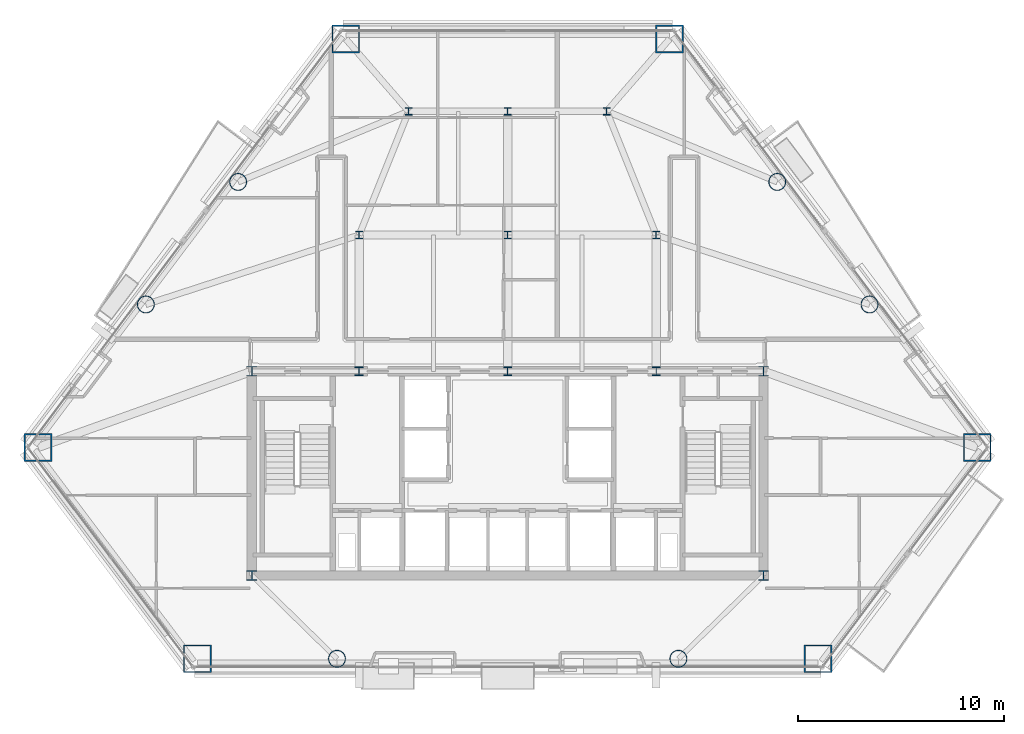
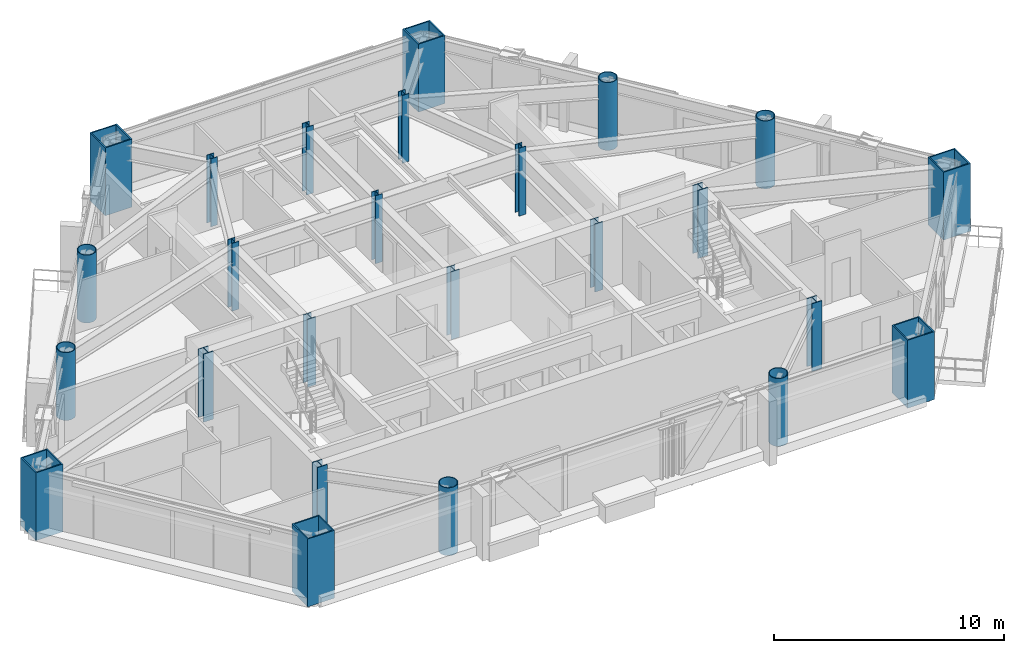
# One storey, part 1 of 11: 25 columns.
"""IFC4 building model written with IfcOpenShell, lengths in metres."""

from ifc_helpers import new_model, si_unit, direction, frame, origin, origin_2d, place, context, subcontext, project, spatial, hollow_rectangle, hollow_circle, i_section, extrude, material, material_profile, profile_set, type_object, element, save


model = new_model("IFC4")

# Units and contexts
model_context = context("Model", 3, precision=1e-05, world=origin(), true_north=direction((0.0, 1.0)))
body_context = subcontext(model_context, "Body", "Model", "MODEL_VIEW")
ifc_project = project(units=[si_unit("LENGTHUNIT", "METRE"), si_unit("AREAUNIT", "SQUARE_METRE"), si_unit("VOLUMEUNIT", "CUBIC_METRE"), si_unit("PLANEANGLEUNIT", "RADIAN"), si_unit("MASSUNIT", "GRAM", prefix="KILO")], contexts=[model_context])

# Site, building, storey
site_placement = place(None, origin())
site = spatial("IfcSite", under=ifc_project, at=site_placement, CompositionType="ELEMENT")
building_placement = place(site_placement, origin())
building = spatial("IfcBuilding", under=site, at=building_placement, Name="Talgorran Terracotta Tower", CompositionType="ELEMENT")
storey_placement = place(building_placement, frame((0.0, 0.0, 42.300048828125)))
storey = spatial("IfcBuildingStorey", under=building, at=storey_placement, Name="L10", CompositionType="ELEMENT", Elevation=42.300048828125)

# Columns
ifc_material_1 = material(Name="Steel S355 (300PLUS)", Category="steel")
ifc_material_profile_1 = material_profile(ifc_material_1, i_section(OverallWidth=0.35009765625, OverallDepth=0.366943359375, WebThickness=0.02490234375, FlangeThickness=0.031982421875, at=origin_2d()), Name="350WC258")
ifc_profile_set_1 = profile_set([ifc_material_profile_1], Name="Steel S355 (300PLUS)")
column_type_1 = type_object("IfcColumnType", Name="COL_350WC258", PredefinedType="COLUMN", material=ifc_profile_set_1)
for number, where, z_axis, x_axis, name in (
    (1, (-7.199951171875, 2.39990234375, 0.0), (0.0, 0.0, 1.0), (1.0, 0.0, 0.0), "L10 Interior Gravity Column IC1"),
    (2, (0.0, 2.39990234375, 0.0), (0.0, 0.0, 1.0), (1.0, 0.0, 0.0), "L10 Interior Gravity Column IC2"),
    (3, (7.199951171875, 2.39990234375, 0.0), (0.0, 0.0, 1.0), (1.0, 0.0, 0.0), "L10 Interior Gravity Column IC3"),
    (4, (-4.800048828125, 8.39990234375, 0.0), (0.0, 0.0, 1.0), (1.0, 0.0, 0.0), "L10 Interior Gravity Column IC4"),
    (5, (0.0, 8.39990234375, 0.0), (0.0, 0.0, 1.0), (1.0, 0.0, 0.0), "L10 Interior Gravity Column IC5"),
    (6, (4.800048828125, 8.39990234375, 0.0), (0.0, 0.0, 1.0), (1.0, 0.0, 0.0), "L10 Interior Gravity Column IC6"),
):
    element("IfcColumn", number, at=place(storey_placement, frame(where, z_axis=z_axis, x_axis=x_axis)), inside=storey, type_object=column_type_1, Name=name, PredefinedType="COLUMN", context=body_context, shape_type="SweptSolid", body=[
        extrude(i_section(OverallWidth=0.35009765625, OverallDepth=0.366943359375, WebThickness=0.02490234375, FlangeThickness=0.031982421875, at=origin_2d()), origin(), (0.0, 0.0, 1.0), 3.599853515625),
    ])
ifc_material_profile_2 = material_profile(ifc_material_1, i_section(OverallWidth=0.5, OverallDepth=0.48193359375, WebThickness=0.0400390625, FlangeThickness=0.044921875, at=origin_2d()), Name="500WC440")
ifc_profile_set_2 = profile_set([ifc_material_profile_2], Name="Steel S355 (300PLUS)")
column_type_2 = type_object("IfcColumnType", Name="COL_500WC440", PredefinedType="COLUMN", material=ifc_profile_set_2)
for number, where, z_axis, x_axis, name in (
    (7, (-12.39990234375, -14.10009765625, 0.0), (0.0, 0.0, 1.0), (1.0, 0.0, 0.0), "L10 Core Boundary Column CC1"),
    (8, (12.39990234375, -14.10009765625, 0.0), (0.0, 0.0, 1.0), (1.0, 0.0, 0.0), "L10 Core Boundary Column CC2"),
    (9, (12.39990234375, -4.199951171875, 0.0), (0.0, 0.0, 1.0), (1.0, 0.0, 0.0), "L10 Core Boundary Column CC3"),
    (10, (-12.39990234375, -4.199951171875, 0.0), (0.0, 0.0, 1.0), (1.0, 0.0, 0.0), "L10 Core Boundary Column CC4"),
):
    element("IfcColumn", number, at=place(storey_placement, frame(where, z_axis=z_axis, x_axis=x_axis)), inside=storey, type_object=column_type_2, Name=name, PredefinedType="COLUMN", context=body_context, shape_type="SweptSolid", body=[
        extrude(i_section(OverallWidth=0.5, OverallDepth=0.48193359375, WebThickness=0.0400390625, FlangeThickness=0.044921875, at=origin_2d()), origin(), (0.0, 0.0, 1.0), 3.599853515625),
    ])
ifc_material_2 = material(Name="Steel Grade 350 (350L0)", Category="steel")
ifc_material_profile_3 = material_profile(ifc_material_2, hollow_rectangle(XDim=1.35009765625, YDim=1.35009765625, WallThickness=0.06494140625, at=origin_2d()), Name="CFT1350X1350X65")
ifc_profile_set_3 = profile_set([ifc_material_profile_3], Name="Steel Grade 350 (350L0)")
column_type_3 = type_object("IfcColumnType", Name="COL_CFT_1350", PredefinedType="COLUMN", material=ifc_profile_set_3)
for number, where, z_axis, x_axis, name in (
    (11, (-22.759033203125, -7.892333984375, 0.0), (0.0, 0.0, 1.0), (1.0, 0.0, 0.0), "L10 Corner CFT Mega-Column MC1"),
    (12, (-15.0439453125, -18.135498046875, 0.0), (0.0, 0.0, 1.0), (1.0, 0.0, 0.0), "L10 Corner CFT Mega-Column MC2"),
    (13, (15.0439453125, -18.135498046875, 0.0), (0.0, 0.0, 1.0), (1.0, 0.0, 0.0), "L10 Corner CFT Mega-Column MC3"),
    (14, (22.759033203125, -7.892333984375, 0.0), (0.0, 0.0, 1.0), (1.0, 0.0, 0.0), "L10 Corner CFT Mega-Column MC4"),
    (15, (7.847412109375, 11.90576171875, 0.0), (0.0, 0.0, 1.0), (1.0, 0.0, 0.0), "L10 Corner CFT Mega-Column MC5"),
    (16, (-7.847412109375, 11.90576171875, 0.0), (0.0, 0.0, 1.0), (1.0, 0.0, 0.0), "L10 Corner CFT Mega-Column MC6"),
):
    element("IfcColumn", number, at=place(storey_placement, frame(where, z_axis=z_axis, x_axis=x_axis)), inside=storey, type_object=column_type_3, Name=name, PredefinedType="COLUMN", context=body_context, shape_type="SweptSolid", body=[
        extrude(hollow_rectangle(XDim=1.35009765625, YDim=1.35009765625, WallThickness=0.06494140625, at=origin_2d()), origin(), (0.0, 0.0, 1.0), 3.599853515625),
    ])
ifc_material_profile_4 = material_profile(ifc_material_2, hollow_circle(Radius=0.425048828125, WallThickness=0.0380859375, at=origin_2d()), Name="CHS850X38")
ifc_profile_set_4 = profile_set([ifc_material_profile_4], Name="Steel Grade 350 (350L0)")
column_type_4 = type_object("IfcColumnType", Name="COL_CHS_850", PredefinedType="COLUMN", material=ifc_profile_set_4)
for number, where, z_axis, x_axis, name in (
    (17, (-8.274169921875, -18.135498046875, 0.0), (0.0, 0.0, 1.0), (1.0, 0.0, 0.0), "L10 Facet Perimeter Column FC1"),
    (18, (8.274169921875, -18.135498046875, 0.0), (0.0, 0.0, 1.0), (1.0, 0.0, 0.0), "L10 Facet Perimeter Column FC2"),
    (19, (17.539794921875, -0.963134765625, 0.0), (0.0, 0.0, 1.0), (1.0, 0.0, 0.0), "L10 Facet Perimeter Column FC3"),
    (20, (13.06640625, 4.976318359375, 0.0), (0.0, 0.0, 1.0), (1.0, 0.0, 0.0), "L10 Facet Perimeter Column FC4"),
    (21, (-13.06640625, 4.976318359375, 0.0), (0.0, 0.0, 1.0), (1.0, 0.0, 0.0), "L10 Facet Perimeter Column FC5"),
    (22, (-17.539794921875, -0.963134765625, 0.0), (0.0, 0.0, 1.0), (1.0, 0.0, 0.0), "L10 Facet Perimeter Column FC6"),
):
    element("IfcColumn", number, at=place(storey_placement, frame(where, z_axis=z_axis, x_axis=x_axis)), inside=storey, type_object=column_type_4, Name=name, PredefinedType="COLUMN", context=body_context, shape_type="SweptSolid", body=[
        extrude(hollow_circle(Radius=0.425048828125, WallThickness=0.0380859375, at=origin_2d()), origin(), (0.0, 0.0, 1.0), 3.599853515625),
    ])
ifc_material_profile_5 = material_profile(ifc_material_1, i_section(OverallWidth=0.405029296875, OverallDepth=0.4140625, WebThickness=0.02197265625, FlangeThickness=0.031982421875, at=origin_2d()), Name="400WC270")
ifc_profile_set_5 = profile_set([ifc_material_profile_5], Name="Steel S355 (300PLUS)")
column_type_5 = type_object("IfcColumnType", Name="COL_PIL_400WC270", PredefinedType="PILASTER", material=ifc_profile_set_5)
for number, where, z_axis, x_axis, name in (
    (23, (-7.199951171875, -4.199951171875, 0.0), (0.0, 0.0, 1.0), (1.0, 0.0, 0.0), "L10 Core Shear Pilaster CP1"),
    (24, (0.0, -4.199951171875, 0.0), (0.0, 0.0, 1.0), (1.0, 0.0, 0.0), "L10 Core Shear Pilaster CP2"),
    (25, (7.199951171875, -4.199951171875, 0.0), (0.0, 0.0, 1.0), (1.0, 0.0, 0.0), "L10 Core Shear Pilaster CP3"),
):
    element("IfcColumn", number, at=place(storey_placement, frame(where, z_axis=z_axis, x_axis=x_axis)), inside=storey, type_object=column_type_5, Name=name, PredefinedType="PILASTER", context=body_context, shape_type="SweptSolid", body=[
        extrude(i_section(OverallWidth=0.405029296875, OverallDepth=0.4140625, WebThickness=0.02197265625, FlangeThickness=0.031982421875, at=origin_2d()), origin(), (0.0, 0.0, 1.0), 3.599853515625),
    ])

save(model, "model.ifc")
